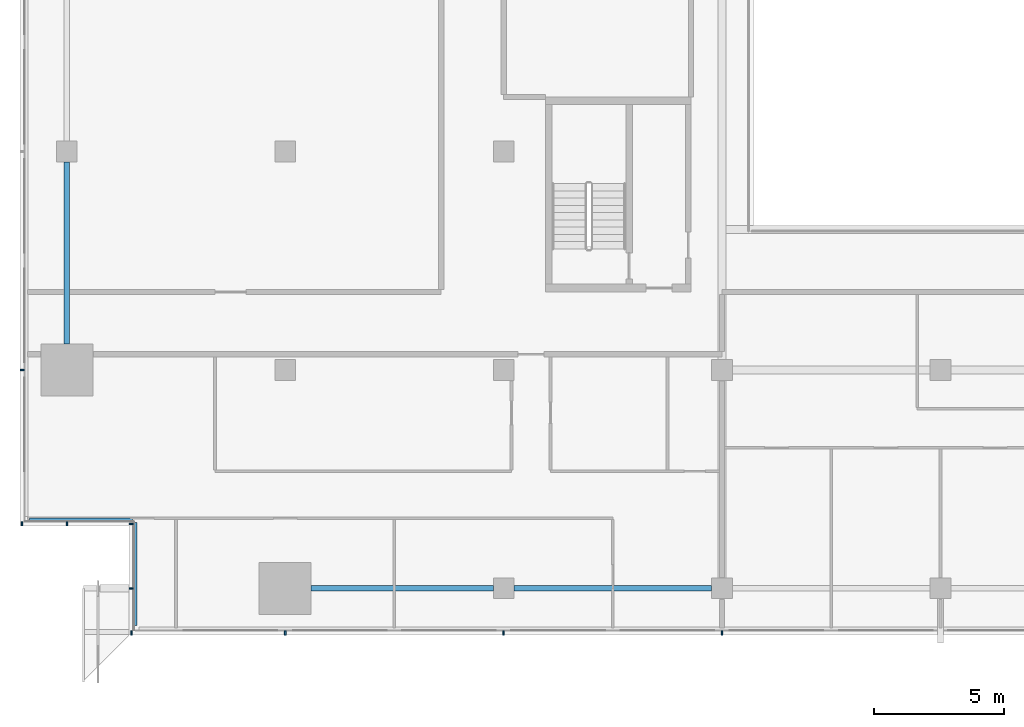
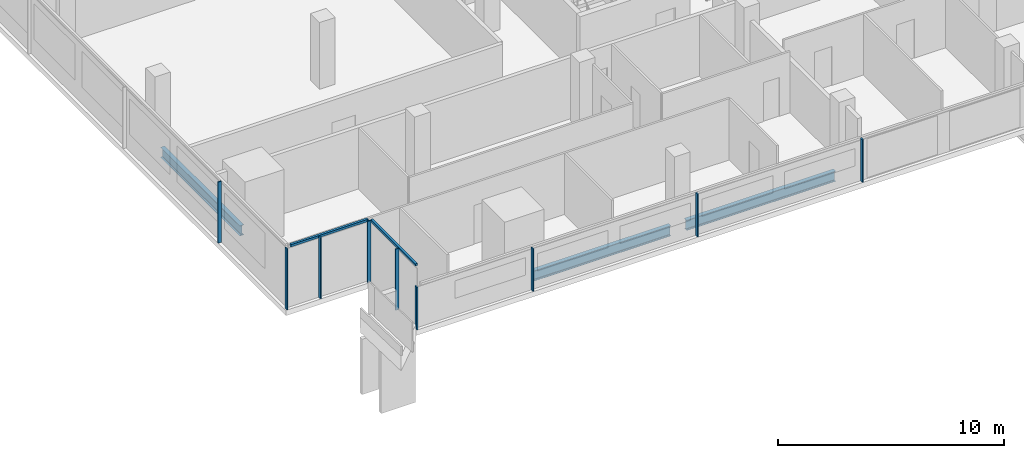
# One storey, part 2 of 26: 11 members, 3 beams, 4 elements without a shape of their own.
"""IFC4 building model written with IfcOpenShell, lengths in metres."""

from ifc_helpers import new_model, si_unit, direction, frame, origin, origin_2d, place, context, subcontext, project, spatial, rectangle, i_section, extrude, material, material_profile, profile_set, type_object, element, aggregate, save


model = new_model("IFC4")

# Units and contexts
model_context = context("Model", 3, precision=1e-05, world=origin(), true_north=direction((0.0, 1.0)))
body_context = subcontext(model_context, "Body", "Model", "MODEL_VIEW")
ifc_project = project(units=[si_unit("LENGTHUNIT", "METRE"), si_unit("AREAUNIT", "SQUARE_METRE"), si_unit("VOLUMEUNIT", "CUBIC_METRE"), si_unit("PLANEANGLEUNIT", "RADIAN"), si_unit("MASSUNIT", "GRAM", prefix="KILO")], contexts=[model_context])

# Site, building, storey
site_placement = place(None, origin())
site = spatial("IfcSite", under=ifc_project, at=site_placement, CompositionType="ELEMENT")
building_placement = place(site_placement, origin())
building = spatial("IfcBuilding", under=site, at=building_placement, Name="Saffron Gate Tower", CompositionType="ELEMENT")
storey_placement = place(building_placement, frame((0.0, 0.0, 138.449951171875)))
storey = spatial("IfcBuildingStorey", under=building, at=storey_placement, Name="L33", CompositionType="ELEMENT", Elevation=138.449951171875)

# Beams
ifc_material_1 = material(Name="Structural steel S355", Category="steel")
ifc_material_profile_1 = material_profile(ifc_material_1, i_section(OverallWidth=0.2099609375, OverallDepth=0.550048828125, WebThickness=0.010986328125, FlangeThickness=0.01708984375, FilletRadius=0.02392578125, at=origin_2d()))
ifc_profile_set_1 = profile_set([ifc_material_profile_1], Name="Structural steel S355")
beam_type = type_object("IfcBeamType", Name="B13 IPE 550", PredefinedType="SPANDREL", material=ifc_profile_set_1)
for number, where, z_axis, x_axis, name in (
    (1, (49.800048828125, 41.199951171875, -0.554931640625), (0.0, 1.0, 0.0), (-1.0, 0.0, 0.0), "B13 SPANDREL BEAM"),
    (2, (59.199951171875, 31.800048828125, -0.554931640625), (1.0, 0.0, 0.0), (0.0, 1.0, 0.0), "B13 SPANDREL BEAM"),
):
    element("IfcBeam", number, at=place(storey_placement, frame(where, z_axis=z_axis, x_axis=x_axis)), inside=storey, type_object=beam_type, Name=name, PredefinedType="SPANDREL", context=body_context, shape_type="SweptSolid", body=[
        extrude(i_section(OverallWidth=0.2099609375, OverallDepth=0.550048828125, WebThickness=0.010986328125, FlangeThickness=0.01708984375, FilletRadius=0.02392578125, at=origin_2d()), origin(), (0.0, 0.0, 1.0), 7.0),
    ])
beam_placement = place(storey_placement, frame((67.0, 31.800048828125, -0.554931640625), z_axis=(1.0, 0.0, 0.0), x_axis=(0.0, 1.0, 0.0)))
element("IfcBeam", 3, at=beam_placement, inside=storey, type_object=beam_type, Name="B13 SPANDREL BEAM", PredefinedType="SPANDREL", context=body_context, shape_type="SweptSolid", body=[
    extrude(i_section(OverallWidth=0.2099609375, OverallDepth=0.550048828125, WebThickness=0.010986328125, FlangeThickness=0.01708984375, FilletRadius=0.02392578125, at=origin_2d()), origin(), (0.0, 0.0, 1.0), 7.60009765625),
])

# Curtain wall, members
ifc_material_2 = material(Name="Aluminium, bronze anodised", Category="aluminium")
curtain_wall_type_1 = type_object("IfcCurtainWallType", Name="CWS1 curtain wall front facade", PredefinedType="NOTDEFINED", material=ifc_material_2)
curtain_wall_1_placement = place(storey_placement, origin())
curtain_wall_1 = element("IfcCurtainWall", 4, at=curtain_wall_1_placement, inside=storey, type_object=curtain_wall_type_1, Name="CWS1 run 1", PredefinedType="NOTDEFINED")
ifc_material_profile_2 = material_profile(ifc_material_2, rectangle(XDim=0.159912109375, YDim=0.06005859375, at=origin_2d()))
ifc_profile_set_2 = profile_set([ifc_material_profile_2], Name="Aluminium, bronze anodised")
member_type_1 = type_object("IfcMemberType", Name="CWS1 mullion 60x160", PredefinedType="MULLION", material=ifc_profile_set_2)
member_1_placement = place(storey_placement, frame((52.280029296875, 30.080078125, 0.0), z_axis=(0.0, 0.0, 1.0), x_axis=(0.0, 1.0, 0.0)))
member_1 = element("IfcMember", 5, at=member_1_placement, type_object=member_type_1, Name="CWS1 mullion 1", PredefinedType="MULLION", context=body_context, shape_type="SweptSolid", body=[
    extrude(rectangle(XDim=0.159912109375, YDim=0.06005859375, at=origin_2d()), origin(), (0.0, 0.0, 1.0), 2.31005859375),
])
member_2_placement = place(storey_placement, frame((58.199951171875, 30.080078125, 0.0), z_axis=(0.0, 0.0, 1.0), x_axis=(0.0, 1.0, 0.0)))
member_2 = element("IfcMember", 6, at=member_2_placement, type_object=member_type_1, Name="CWS1 mullion 2", PredefinedType="MULLION", context=body_context, shape_type="SweptSolid", body=[
    extrude(rectangle(XDim=0.159912109375, YDim=0.06005859375, at=origin_2d()), origin(), (0.0, 0.0, 1.0), 2.31005859375),
])
member_3_placement = place(storey_placement, frame((66.60009765625, 30.080078125, 0.0), z_axis=(0.0, 0.0, 1.0), x_axis=(0.0, 1.0, 0.0)))
member_3 = element("IfcMember", 7, at=member_3_placement, type_object=member_type_1, Name="CWS1 mullion 3", PredefinedType="MULLION", context=body_context, shape_type="SweptSolid", body=[
    extrude(rectangle(XDim=0.159912109375, YDim=0.06005859375, at=origin_2d()), origin(), (0.0, 0.0, 1.0), 2.31005859375),
])
member_4_placement = place(storey_placement, frame((75.0, 30.080078125, 0.0), z_axis=(0.0, 0.0, 1.0), x_axis=(0.0, 1.0, 0.0)))
member_4 = element("IfcMember", 8, at=member_4_placement, type_object=member_type_1, Name="CWS1 mullion 4", PredefinedType="MULLION", context=body_context, shape_type="SweptSolid", body=[
    extrude(rectangle(XDim=0.159912109375, YDim=0.06005859375, at=origin_2d()), origin(), (0.0, 0.0, 1.0), 2.31005859375),
])
aggregate(curtain_wall_1, [member_1, member_2, member_3, member_4])

# Curtain wall, member
curtain_wall_type_2 = type_object("IfcCurtainWallType", Name="CWS2 curtain wall side facades", PredefinedType="NOTDEFINED", material=ifc_material_2)
curtain_wall_2_placement = place(storey_placement, origin())
curtain_wall_2 = element("IfcCurtainWall", 9, at=curtain_wall_2_placement, inside=storey, type_object=curtain_wall_type_2, Name="CWS2 run 10", PredefinedType="NOTDEFINED")
ifc_material_profile_3 = material_profile(ifc_material_2, rectangle(XDim=0.159912109375, YDim=0.06005859375, at=origin_2d()))
ifc_profile_set_3 = profile_set([ifc_material_profile_3], Name="Aluminium, bronze anodised")
member_type_2 = type_object("IfcMemberType", Name="CWS2 mullion 60x160", PredefinedType="MULLION", material=ifc_profile_set_3)
member_5_placement = place(storey_placement, frame((48.080078125, 40.199951171875, 0.0), z_axis=(0.0, 0.0, 1.0), x_axis=(1.0, 0.0, 0.0)))
member_5 = element("IfcMember", 10, at=member_5_placement, type_object=member_type_2, Name="CWS2 mullion 5", PredefinedType="MULLION", context=body_context, shape_type="SweptSolid", body=[
    extrude(rectangle(XDim=0.159912109375, YDim=0.06005859375, at=origin_2d()), origin(), (0.0, 0.0, 1.0), 3.300048828125),
])
aggregate(curtain_wall_2, [member_5])

curtain_wall_type_3 = type_object("IfcCurtainWallType", Name="CWS4 curtain wall corner returns", PredefinedType="NOTDEFINED", material=ifc_material_2)
curtain_wall_3_placement = place(storey_placement, origin())
curtain_wall_3 = element("IfcCurtainWall", 11, at=curtain_wall_3_placement, inside=storey, type_object=curtain_wall_type_3, Name="CWS4 run 11", PredefinedType="NOTDEFINED")
ifc_material_profile_4 = material_profile(ifc_material_2, rectangle(XDim=0.1201171875, YDim=0.1201171875, at=origin_2d()))
ifc_profile_set_4 = profile_set([ifc_material_profile_4], Name="Aluminium, bronze anodised")
member_type_3 = type_object("IfcMemberType", Name="CWS4 head transom", PredefinedType="USERDEFINED", material=ifc_profile_set_4)
member_6_placement = place(storey_placement, frame((48.367919921875, 34.447998046875, 3.239990234375), z_axis=(1.0, 0.0, 0.0), x_axis=(0.0, 1.0, 0.0)))
member_6 = element("IfcMember", 12, at=member_6_placement, type_object=member_type_3, Name="CWS4 head transom", ObjectType="TRANSOM", PredefinedType="USERDEFINED", context=body_context, shape_type="SweptSolid", body=[
    extrude(rectangle(XDim=0.1201171875, YDim=0.1201171875, at=origin_2d()), origin(), (0.0, 0.0, 1.0), 3.9599609375),
])

curtain_wall_4_placement = place(storey_placement, origin())
curtain_wall_4 = element("IfcCurtainWall", 13, at=curtain_wall_4_placement, inside=storey, type_object=curtain_wall_type_3, Name="CWS4 run 12", PredefinedType="NOTDEFINED")
member_7_placement = place(storey_placement, frame((52.447998046875, 34.327880859375, 3.239990234375), z_axis=(0.0, -1.0, 0.0), x_axis=(1.0, 0.0, 0.0)))
member_7 = element("IfcMember", 14, at=member_7_placement, type_object=member_type_3, Name="CWS4 head transom", ObjectType="TRANSOM", PredefinedType="USERDEFINED", context=body_context, shape_type="SweptSolid", body=[
    extrude(rectangle(XDim=0.1201171875, YDim=0.1201171875, at=origin_2d()), origin(), (0.0, 0.0, 1.0), 3.9599609375),
])

# Member
ifc_material_profile_5 = material_profile(ifc_material_2, rectangle(XDim=0.159912109375, YDim=0.06005859375, at=origin_2d()))
ifc_profile_set_5 = profile_set([ifc_material_profile_5], Name="Aluminium, bronze anodised")
member_type_4 = type_object("IfcMemberType", Name="CWS4 mullion 60x160", PredefinedType="MULLION", material=ifc_profile_set_5)
member_8_placement = place(storey_placement, frame((48.080078125, 34.280029296875, 0.0), z_axis=(0.0, 0.0, 1.0), x_axis=(0.0, 1.0, 0.0)))
member_8 = element("IfcMember", 15, at=member_8_placement, type_object=member_type_4, Name="CWS4 mullion 1", PredefinedType="MULLION", context=body_context, shape_type="SweptSolid", body=[
    extrude(rectangle(XDim=0.159912109375, YDim=0.06005859375, at=origin_2d()), origin(), (0.0, 0.0, 1.0), 3.300048828125),
])

member_9_placement = place(storey_placement, frame((49.800048828125, 34.280029296875, 0.0), z_axis=(0.0, 0.0, 1.0), x_axis=(0.0, 1.0, 0.0)))
member_9 = element("IfcMember", 16, at=member_9_placement, type_object=member_type_4, Name="CWS4 mullion 2", PredefinedType="MULLION", context=body_context, shape_type="SweptSolid", body=[
    extrude(rectangle(XDim=0.159912109375, YDim=0.06005859375, at=origin_2d()), origin(), (0.0, 0.0, 1.0), 3.300048828125),
])

aggregate(curtain_wall_3, [member_8, member_9, member_6])

member_10_placement = place(storey_placement, frame((52.280029296875, 34.280029296875, 0.0), z_axis=(0.0, 0.0, 1.0), x_axis=(1.0, 0.0, 0.0)))
member_10 = element("IfcMember", 17, at=member_10_placement, type_object=member_type_4, Name="CWS4 mullion 1", PredefinedType="MULLION", context=body_context, shape_type="SweptSolid", body=[
    extrude(rectangle(XDim=0.159912109375, YDim=0.06005859375, at=origin_2d()), origin(), (0.0, 0.0, 1.0), 3.300048828125),
])

member_11_placement = place(storey_placement, frame((52.280029296875, 31.800048828125, 0.0), z_axis=(0.0, 0.0, 1.0), x_axis=(1.0, 0.0, 0.0)))
member_11 = element("IfcMember", 18, at=member_11_placement, type_object=member_type_4, Name="CWS4 mullion 2", PredefinedType="MULLION", context=body_context, shape_type="SweptSolid", body=[
    extrude(rectangle(XDim=0.159912109375, YDim=0.06005859375, at=origin_2d()), origin(), (0.0, 0.0, 1.0), 3.300048828125),
])

aggregate(curtain_wall_4, [member_10, member_11, member_7])

save(model, "model.ifc")
